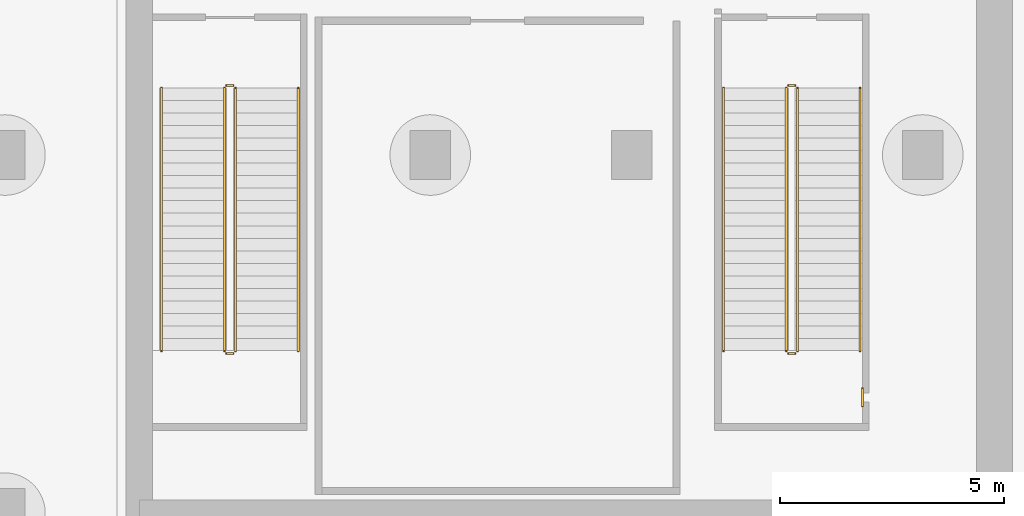
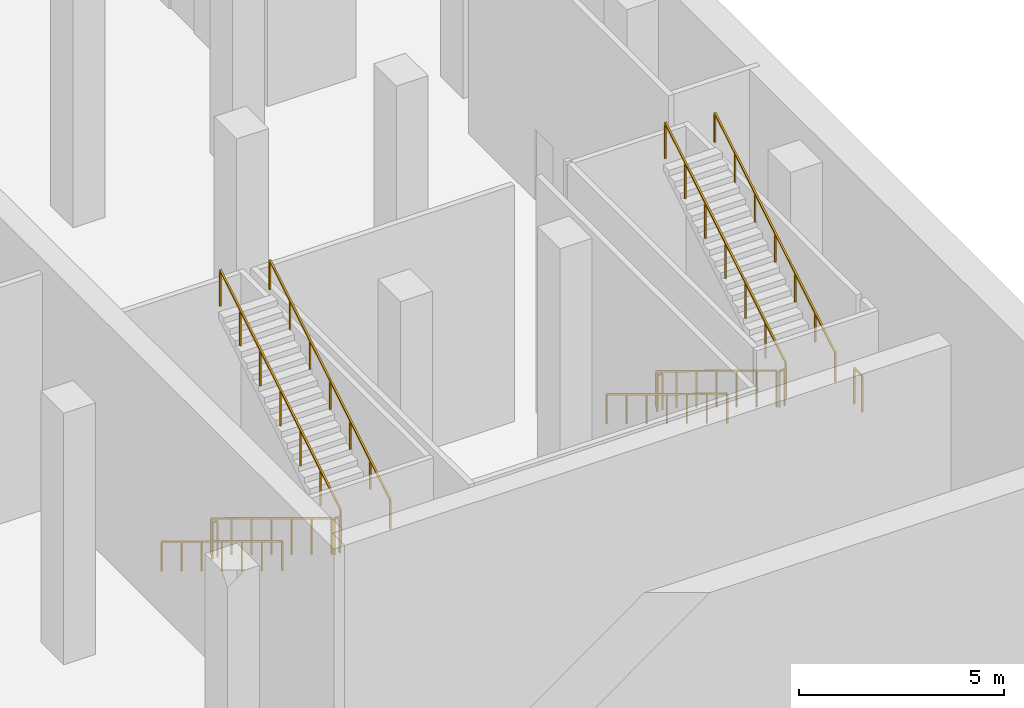
# One storey, part 16 of 19: 13 railings.
"""IFC4 building model written with IfcOpenShell, lengths in metres."""

import ifcopenshell
import ifcopenshell.guid

model = None  # the IFC model being written
_history = None  # IfcOwnerHistory: only IFC2X3 demands one
_inside = {}  # id of a spatial element -> (the spatial element, [elements in it])
_under = {}  # id of a project, library or spatial element -> (it, [spatial elements below it])
_declared = {}  # id of a project -> (the project, [libraries it declares])
_typed = {}  # id of a type object -> (the type object, [elements of that type])
_made_of = {}  # id of a material, layer set ... -> (it, [elements and type objects made of it])


def new_model(schema):
    """Start an empty IFC model of exactly this schema.

    Asked for "IFC4X3", IfcOpenShell would pick the latest addendum, in which some entities
    have other attributes; the version numbers below select the first issue.
    IFC2X3 requires an IfcOwnerHistory on every rooted entity: one is made here for all.
    """
    global model, _history
    if schema == "IFC4X3":
        model = ifcopenshell.file(schema_version=(4, 3, 0, 0))
    else:
        model = ifcopenshell.file(schema=schema)
    _inside.clear()
    _under.clear()
    _declared.clear()
    _typed.clear()
    _made_of.clear()
    _history = None
    if model.schema == "IFC2X3":
        org = make("IfcOrganization", Name="unknown")
        user = make(
            "IfcPersonAndOrganization",
            ThePerson=make("IfcPerson", FamilyName="unknown"),
            TheOrganization=org,
        )
        app = make(
            "IfcApplication",
            ApplicationDeveloper=org,
            Version="unknown",
            ApplicationFullName="unknown",
            ApplicationIdentifier="unknown",
        )
        _history = make(
            "IfcOwnerHistory",
            OwningUser=user,
            OwningApplication=app,
            ChangeAction="ADDED",
            CreationDate=0,
        )
    return model


def make(cls, **values):
    """One entity of the class cls with the attributes given. An attribute that is None is left unset."""
    return model.create_entity(
        cls, **{name: value for name, value in values.items() if value is not None}
    )


def rooted(cls, **values):
    """An entity with a GlobalId (a new one), such as an element, a storey or a relation."""
    return make(cls, GlobalId=ifcopenshell.guid.new(), OwnerHistory=_history, **values)


def si_unit(unit_type, name, prefix=None):
    """IfcSIUnit, for example si_unit("LENGTHUNIT", "METRE", prefix="MILLI")."""
    return make("IfcSIUnit", UnitType=unit_type, Prefix=prefix, Name=name)


def assignment(units):
    """IfcUnitAssignment: the units of a project."""
    return None if units is None else make("IfcUnitAssignment", Units=units)


def point(xyz):
    """IfcCartesianPoint."""
    return None if xyz is None else make("IfcCartesianPoint", Coordinates=xyz)


def direction(xyz):
    """IfcDirection."""
    return None if xyz is None else make("IfcDirection", DirectionRatios=xyz)


def frame(location, z_axis=None, x_axis=None):
    """IfcAxis2Placement3D, a coordinate frame: its origin and axes. An axis left out is left unset."""
    return make(
        "IfcAxis2Placement3D",
        Location=point(location),
        Axis=direction(z_axis),
        RefDirection=direction(x_axis),
    )


def frame_2d(location, x_axis=None):
    """IfcAxis2Placement2D, a coordinate frame in the plane: its origin and x axis."""
    return make(
        "IfcAxis2Placement2D", Location=point(location), RefDirection=direction(x_axis)
    )


def origin():
    """The frame at (0, 0, 0) with its axes left unset."""
    return frame((0.0, 0.0, 0.0))


def origin_with_axes():
    """The frame at (0, 0, 0) with the z axis (0, 0, 1) and the x axis (1, 0, 0) written out."""
    return frame((0.0, 0.0, 0.0), z_axis=(0.0, 0.0, 1.0), x_axis=(1.0, 0.0, 0.0))


def origin_2d():
    """The frame at (0, 0) in the plane with its x axis left unset."""
    return frame_2d((0.0, 0.0))


def place(relative_to, where):
    """IfcLocalPlacement: puts the frame where relative to a parent placement (None: the world)."""
    return make(
        "IfcLocalPlacement", PlacementRelTo=relative_to, RelativePlacement=where
    )


def context(
    kind, dimensions, precision=None, world=None, true_north=None, identifier=None
):
    """IfcGeometricRepresentationContext, for example the 3D "Model" context."""
    return make(
        "IfcGeometricRepresentationContext",
        ContextIdentifier=identifier,
        ContextType=kind,
        CoordinateSpaceDimension=dimensions,
        Precision=precision,
        WorldCoordinateSystem=world,
        TrueNorth=true_north,
    )


def subcontext(parent, identifier, kind, view, scale=None):
    """IfcGeometricRepresentationSubContext, for example "Body" below "Model"."""
    return make(
        "IfcGeometricRepresentationSubContext",
        ContextIdentifier=identifier,
        ContextType=kind,
        ParentContext=parent,
        TargetScale=scale,
        TargetView=view,
    )


def project(units=None, contexts=None):
    """IfcProject with its units and contexts."""
    return rooted(
        "IfcProject",
        Name="project",
        RepresentationContexts=contexts,
        UnitsInContext=assignment(units),
    )


def spatial(cls, under=None, at=None, **own):
    """A site, building, storey or space (cls), placed at a placement, below another one or the project."""
    s = rooted(cls, ObjectPlacement=at, **own)
    if under is not None:
        _under.setdefault(under.id(), (under, []))[1].append(s)
    return s


def profile(cls, at=None, kind="AREA", **sizes):
    """A parametric profile (cls). Its sizes go by their IFC names, for example OverallWidth=200.0."""
    return make(cls, ProfileType=kind, Position=at, **sizes)


def rectangle(**sizes):
    """IfcRectangleProfileDef."""
    return profile("IfcRectangleProfileDef", **sizes)


def extrude(swept, where, along, depth):
    """IfcExtrudedAreaSolid: the profile swept, set in the frame where, extruded along a direction by depth."""
    return make(
        "IfcExtrudedAreaSolid",
        SweptArea=swept,
        Position=where,
        ExtrudedDirection=direction(along),
        Depth=depth,
    )


def shape(context_of_items, identifier, shape_type, items):
    """IfcShapeRepresentation: the items that make up one representation, for example the "Body"."""
    return make(
        "IfcShapeRepresentation",
        ContextOfItems=context_of_items,
        RepresentationIdentifier=identifier,
        RepresentationType=shape_type,
        Items=items,
    )


def material(Name=None, Category=None):
    """IfcMaterial."""
    return make("IfcMaterial", Name=Name, Category=Category)


def made_of(thing, what):
    """Note that an element or type object is made of a material, layer set ...; save() writes the relation."""
    if what is not None:
        _made_of.setdefault(what.id(), (what, []))[1].append(thing)
    return thing


def type_object(cls, material=None, **own):
    """A type object (cls), such as IfcWallType, which elements share."""
    return made_of(rooted(cls, **own), material)


def element(
    cls,
    number,
    at=None,
    inside=None,
    cuts=None,
    type_object=None,
    material=None,
    context=None,
    identifier="Body",
    shape_type=None,
    held_by="IfcProductDefinitionShape",
    body=None,
    shapes=None,
    **own,
):
    """One element of the class cls, such as IfcWall. Its Tag is "e" and its number.

    at: its placement. inside: the storey or other place that contains it. cuts: it is an
    opening in that element (IfcRelVoidsElement). A single representation is given by context,
    identifier, shape_type and body (its items); several are given by shapes. held_by: the class
    of the entity that holds the representations. save() writes the other relations.
    """
    e = rooted(cls, Tag="e%d" % number, ObjectPlacement=at, **own)
    if body is not None:
        shapes = [shape(context, identifier, shape_type, body)]
    if shapes is not None:
        e.Representation = make(held_by, Representations=shapes)
    if inside is not None:
        _inside.setdefault(inside.id(), (inside, []))[1].append(e)
    if cuts is not None:
        rooted(
            "IfcRelVoidsElement", RelatingBuildingElement=cuts, RelatedOpeningElement=e
        )
    if type_object is not None:
        _typed.setdefault(type_object.id(), (type_object, []))[1].append(e)
    return made_of(e, material)


def aggregate(whole, parts):
    """IfcRelAggregates: a whole, such as a stair, and the parts it consists of."""
    return rooted("IfcRelAggregates", RelatingObject=whole, RelatedObjects=parts)


def save(model, path):
    """Write the relations noted so far, then the file.

    IfcRelAggregates (storeys below a building ...), IfcRelContainedInSpatialStructure (elements
    in a storey), IfcRelDefinesByType, IfcRelAssociatesMaterial and IfcRelDeclares: one each for
    every whole, place, type object, material and project.
    """
    for whole, parts in _under.values():
        aggregate(whole, parts)
    for where, things in _inside.values():
        rooted(
            "IfcRelContainedInSpatialStructure",
            RelatedElements=things,
            RelatingStructure=where,
        )
    for kind, things in _typed.values():
        rooted("IfcRelDefinesByType", RelatedObjects=things, RelatingType=kind)
    for what, things in _made_of.values():
        rooted("IfcRelAssociatesMaterial", RelatedObjects=things, RelatingMaterial=what)
    for by, libraries in _declared.values():
        rooted("IfcRelDeclares", RelatingContext=by, RelatedDefinitions=libraries)
    model.write(path)


model = new_model("IFC4")

# Units and contexts
model_context = context("Model", 3, precision=1e-05, world=origin(), true_north=direction((0.0, 1.0)))
body_context = subcontext(model_context, "Body", "Model", "MODEL_VIEW")
ifc_project = project(units=[si_unit("LENGTHUNIT", "METRE"), si_unit("AREAUNIT", "SQUARE_METRE"), si_unit("VOLUMEUNIT", "CUBIC_METRE"), si_unit("PLANEANGLEUNIT", "RADIAN"), si_unit("MASSUNIT", "GRAM", prefix="KILO")], contexts=[model_context])

# Site, building, storey
site_placement = place(None, origin())
site = spatial("IfcSite", under=ifc_project, at=site_placement, CompositionType="ELEMENT")
building_placement = place(site_placement, origin())
building = spatial("IfcBuilding", under=site, at=building_placement, Name="Alderwake Tower", CompositionType="ELEMENT")
storey_placement = place(building_placement, frame((0.0, 0.0, -14.0)))
storey = spatial("IfcBuildingStorey", under=building, at=storey_placement, Name="B2", CompositionType="ELEMENT", Elevation=-14.0)

# Railings
ifc_material_1 = material(Name="Stainless steel guard", Category="steel")
railing_type_1 = type_object("IfcRailingType", Name="Stair guard 1100", PredefinedType="GUARDRAIL", material=ifc_material_1)
railing_1_placement = place(storey_placement, frame((68.89990234375, 17.5, 0.17041015625)))
element("IfcRailing", 1, at=railing_1_placement, inside=storey, type_object=railing_type_1, Name="B2 ST-S1 stair guard 1", PredefinedType="GUARDRAIL", context=body_context, shape_type="SweptSolid", body=[
    extrude(rectangle(XDim=0.048095703125, YDim=0.048095703125, at=origin_2d()), frame((0.0, 0.0, 1.076171875), z_axis=(0.0, -0.854164310681, 0.520003202259), x_axis=(1.0, 0.0, 0.0)), (0.0, 0.0, 1.0), 6.8837890625),
    extrude(rectangle(XDim=0.0419921875, YDim=0.0419921875, at=origin_2d()), frame((0.0, 0.0, 0.0), z_axis=(0.0, 0.0, 1.0), x_axis=(0.0, -1.0, 0.0)), (0.0, 0.0, 1.0), 1.052001953125),
    extrude(rectangle(XDim=0.0419921875, YDim=0.0419921875, at=origin_2d()), frame((0.0, -0.97998046875, 0.5966796875), z_axis=(0.0, 0.0, 1.0), x_axis=(0.0, -1.0, 0.0)), (0.0, 0.0, 1.0), 1.052001953125),
    extrude(rectangle(XDim=0.0419921875, YDim=0.0419921875, at=origin_2d()), frame((0.0, -1.9599609375, 1.193115234375), z_axis=(0.0, 0.0, 1.0), x_axis=(0.0, -1.0, 0.0)), (0.0, 0.0, 1.0), 1.052001953125),
    extrude(rectangle(XDim=0.0419921875, YDim=0.0419921875, at=origin_2d()), frame((0.0, -2.93994140625, 1.789794921875), z_axis=(0.0, 0.0, 1.0), x_axis=(0.0, -1.0, 0.0)), (0.0, 0.0, 1.0), 1.052001953125),
    extrude(rectangle(XDim=0.0419921875, YDim=0.0419921875, at=origin_2d()), frame((0.0, -3.919921875, 2.386474609375), z_axis=(0.0, 0.0, 1.0), x_axis=(0.0, -1.0, 0.0)), (0.0, 0.0, 1.0), 1.052001953125),
    extrude(rectangle(XDim=0.0419921875, YDim=0.0419921875, at=origin_2d()), frame((0.0, -4.89990234375, 2.98291015625), z_axis=(0.0, 0.0, 1.0), x_axis=(0.0, -1.0, 0.0)), (0.0, 0.0, 1.0), 1.052001953125),
    extrude(rectangle(XDim=0.0419921875, YDim=0.0419921875, at=origin_2d()), frame((0.0, -5.8798828125, 3.57958984375), z_axis=(0.0, 0.0, 1.0), x_axis=(0.0, -1.0, 0.0)), (0.0, 0.0, 1.0), 1.052001953125),
])
railing_2_placement = place(storey_placement, frame((68.949951171875, 11.570068359375, 3.75)))
element("IfcRailing", 2, at=railing_2_placement, inside=storey, type_object=railing_type_1, Name="B2 ST-S1 stair guard 2", PredefinedType="GUARDRAIL", context=body_context, shape_type="SweptSolid", body=[
    extrude(rectangle(XDim=0.048095703125, YDim=0.048095703125, at=origin_2d()), frame((0.0, 0.0, 1.076171875), z_axis=(1.0, 0.0, 0.0), x_axis=(0.0, 1.0, 0.0)), (0.0, 0.0, 1.0), 0.150146484375),
    extrude(rectangle(XDim=0.0419921875, YDim=0.0419921875, at=origin_2d()), origin_with_axes(), (0.0, 0.0, 1.0), 1.052001953125),
    extrude(rectangle(XDim=0.0419921875, YDim=0.0419921875, at=origin_2d()), frame((0.150146484375, 0.0, 0.0), z_axis=(0.0, 0.0, 1.0), x_axis=(1.0, 0.0, 0.0)), (0.0, 0.0, 1.0), 1.052001953125),
])
railing_3_placement = place(storey_placement, frame((69.14990234375, 11.6201171875, 3.92041015625)))
element("IfcRailing", 3, at=railing_3_placement, inside=storey, type_object=railing_type_1, Name="B2 ST-S1 stair guard 3", PredefinedType="GUARDRAIL", context=body_context, shape_type="SweptSolid", body=[
    extrude(rectangle(XDim=0.048095703125, YDim=0.048095703125, at=origin_2d()), frame((0.0, 0.0, 1.076171875), z_axis=(0.0, 0.854164310681, 0.520003202259), x_axis=(-1.0, 0.0, 0.0)), (0.0, 0.0, 1.0), 6.8837890625),
    extrude(rectangle(XDim=0.0419921875, YDim=0.0419921875, at=origin_2d()), frame((0.0, 0.0, 0.0), z_axis=(0.0, 0.0, 1.0), x_axis=(0.0, 1.0, 0.0)), (0.0, 0.0, 1.0), 1.052001953125),
    extrude(rectangle(XDim=0.0419921875, YDim=0.0419921875, at=origin_2d()), frame((0.0, 0.97998046875, 0.5966796875), z_axis=(0.0, 0.0, 1.0), x_axis=(0.0, 1.0, 0.0)), (0.0, 0.0, 1.0), 1.052001953125),
    extrude(rectangle(XDim=0.0419921875, YDim=0.0419921875, at=origin_2d()), frame((0.0, 1.9599609375, 1.193115234375), z_axis=(0.0, 0.0, 1.0), x_axis=(0.0, 1.0, 0.0)), (0.0, 0.0, 1.0), 1.052001953125),
    extrude(rectangle(XDim=0.0419921875, YDim=0.0419921875, at=origin_2d()), frame((0.0, 2.93994140625, 1.789794921875), z_axis=(0.0, 0.0, 1.0), x_axis=(0.0, 1.0, 0.0)), (0.0, 0.0, 1.0), 1.052001953125),
    extrude(rectangle(XDim=0.0419921875, YDim=0.0419921875, at=origin_2d()), frame((0.0, 3.919921875, 2.386474609375), z_axis=(0.0, 0.0, 1.0), x_axis=(0.0, 1.0, 0.0)), (0.0, 0.0, 1.0), 1.052001953125),
    extrude(rectangle(XDim=0.0419921875, YDim=0.0419921875, at=origin_2d()), frame((0.0, 4.89990234375, 2.98291015625), z_axis=(0.0, 0.0, 1.0), x_axis=(0.0, 1.0, 0.0)), (0.0, 0.0, 1.0), 1.052001953125),
    extrude(rectangle(XDim=0.0419921875, YDim=0.0419921875, at=origin_2d()), frame((0.0, 5.8798828125, 3.57958984375), z_axis=(0.0, 0.0, 1.0), x_axis=(0.0, 1.0, 0.0)), (0.0, 0.0, 1.0), 1.052001953125),
])
railing_4_placement = place(storey_placement, frame((68.949951171875, 17.550048828125, 0.0)))
element("IfcRailing", 4, at=railing_4_placement, inside=storey, type_object=railing_type_1, Name="B2 ST-S1 stair guard 4", PredefinedType="GUARDRAIL", context=body_context, shape_type="SweptSolid", body=[
    extrude(rectangle(XDim=0.048095703125, YDim=0.048095703125, at=origin_2d()), frame((0.0, 0.0, 1.076171875), z_axis=(1.0, 0.0, 0.0), x_axis=(0.0, 1.0, 0.0)), (0.0, 0.0, 1.0), 0.150146484375),
    extrude(rectangle(XDim=0.0419921875, YDim=0.0419921875, at=origin_2d()), origin_with_axes(), (0.0, 0.0, 1.0), 1.052001953125),
    extrude(rectangle(XDim=0.0419921875, YDim=0.0419921875, at=origin_2d()), frame((0.150146484375, 0.0, 0.0), z_axis=(0.0, 0.0, 1.0), x_axis=(1.0, 0.0, 0.0)), (0.0, 0.0, 1.0), 1.052001953125),
])
railing_5_placement = place(storey_placement, frame((81.449951171875, 17.5, 0.17041015625)))
element("IfcRailing", 5, at=railing_5_placement, inside=storey, type_object=railing_type_1, Name="B2 ST-S2 stair guard 1", PredefinedType="GUARDRAIL", context=body_context, shape_type="SweptSolid", body=[
    extrude(rectangle(XDim=0.048095703125, YDim=0.048095703125, at=origin_2d()), frame((0.0, 0.0, 1.076171875), z_axis=(0.0, -0.854164310681, 0.520003202259), x_axis=(1.0, 0.0, 0.0)), (0.0, 0.0, 1.0), 6.8837890625),
    extrude(rectangle(XDim=0.0419921875, YDim=0.0419921875, at=origin_2d()), frame((0.0, 0.0, 0.0), z_axis=(0.0, 0.0, 1.0), x_axis=(0.0, -1.0, 0.0)), (0.0, 0.0, 1.0), 1.052001953125),
    extrude(rectangle(XDim=0.0419921875, YDim=0.0419921875, at=origin_2d()), frame((0.0, -0.97998046875, 0.5966796875), z_axis=(0.0, 0.0, 1.0), x_axis=(0.0, -1.0, 0.0)), (0.0, 0.0, 1.0), 1.052001953125),
    extrude(rectangle(XDim=0.0419921875, YDim=0.0419921875, at=origin_2d()), frame((0.0, -1.9599609375, 1.193115234375), z_axis=(0.0, 0.0, 1.0), x_axis=(0.0, -1.0, 0.0)), (0.0, 0.0, 1.0), 1.052001953125),
    extrude(rectangle(XDim=0.0419921875, YDim=0.0419921875, at=origin_2d()), frame((0.0, -2.93994140625, 1.789794921875), z_axis=(0.0, 0.0, 1.0), x_axis=(0.0, -1.0, 0.0)), (0.0, 0.0, 1.0), 1.052001953125),
    extrude(rectangle(XDim=0.0419921875, YDim=0.0419921875, at=origin_2d()), frame((0.0, -3.919921875, 2.386474609375), z_axis=(0.0, 0.0, 1.0), x_axis=(0.0, -1.0, 0.0)), (0.0, 0.0, 1.0), 1.052001953125),
    extrude(rectangle(XDim=0.0419921875, YDim=0.0419921875, at=origin_2d()), frame((0.0, -4.89990234375, 2.98291015625), z_axis=(0.0, 0.0, 1.0), x_axis=(0.0, -1.0, 0.0)), (0.0, 0.0, 1.0), 1.052001953125),
    extrude(rectangle(XDim=0.0419921875, YDim=0.0419921875, at=origin_2d()), frame((0.0, -5.8798828125, 3.57958984375), z_axis=(0.0, 0.0, 1.0), x_axis=(0.0, -1.0, 0.0)), (0.0, 0.0, 1.0), 1.052001953125),
])
railing_6_placement = place(storey_placement, frame((81.5, 11.570068359375, 3.75)))
element("IfcRailing", 6, at=railing_6_placement, inside=storey, type_object=railing_type_1, Name="B2 ST-S2 stair guard 2", PredefinedType="GUARDRAIL", context=body_context, shape_type="SweptSolid", body=[
    extrude(rectangle(XDim=0.048095703125, YDim=0.048095703125, at=origin_2d()), frame((0.0, 0.0, 1.076171875), z_axis=(1.0, 0.0, 0.0), x_axis=(0.0, 1.0, 0.0)), (0.0, 0.0, 1.0), 0.14990234375),
    extrude(rectangle(XDim=0.0419921875, YDim=0.0419921875, at=origin_2d()), origin_with_axes(), (0.0, 0.0, 1.0), 1.052001953125),
    extrude(rectangle(XDim=0.0419921875, YDim=0.0419921875, at=origin_2d()), frame((0.14990234375, 0.0, 0.0), z_axis=(0.0, 0.0, 1.0), x_axis=(1.0, 0.0, 0.0)), (0.0, 0.0, 1.0), 1.052001953125),
])
railing_7_placement = place(storey_placement, frame((81.699951171875, 11.6201171875, 3.92041015625)))
element("IfcRailing", 7, at=railing_7_placement, inside=storey, type_object=railing_type_1, Name="B2 ST-S2 stair guard 3", PredefinedType="GUARDRAIL", context=body_context, shape_type="SweptSolid", body=[
    extrude(rectangle(XDim=0.048095703125, YDim=0.048095703125, at=origin_2d()), frame((0.0, 0.0, 1.076171875), z_axis=(0.0, 0.854164310681, 0.520003202259), x_axis=(-1.0, 0.0, 0.0)), (0.0, 0.0, 1.0), 6.8837890625),
    extrude(rectangle(XDim=0.0419921875, YDim=0.0419921875, at=origin_2d()), frame((0.0, 0.0, 0.0), z_axis=(0.0, 0.0, 1.0), x_axis=(0.0, 1.0, 0.0)), (0.0, 0.0, 1.0), 1.052001953125),
    extrude(rectangle(XDim=0.0419921875, YDim=0.0419921875, at=origin_2d()), frame((0.0, 0.97998046875, 0.5966796875), z_axis=(0.0, 0.0, 1.0), x_axis=(0.0, 1.0, 0.0)), (0.0, 0.0, 1.0), 1.052001953125),
    extrude(rectangle(XDim=0.0419921875, YDim=0.0419921875, at=origin_2d()), frame((0.0, 1.9599609375, 1.193115234375), z_axis=(0.0, 0.0, 1.0), x_axis=(0.0, 1.0, 0.0)), (0.0, 0.0, 1.0), 1.052001953125),
    extrude(rectangle(XDim=0.0419921875, YDim=0.0419921875, at=origin_2d()), frame((0.0, 2.93994140625, 1.789794921875), z_axis=(0.0, 0.0, 1.0), x_axis=(0.0, 1.0, 0.0)), (0.0, 0.0, 1.0), 1.052001953125),
    extrude(rectangle(XDim=0.0419921875, YDim=0.0419921875, at=origin_2d()), frame((0.0, 3.919921875, 2.386474609375), z_axis=(0.0, 0.0, 1.0), x_axis=(0.0, 1.0, 0.0)), (0.0, 0.0, 1.0), 1.052001953125),
    extrude(rectangle(XDim=0.0419921875, YDim=0.0419921875, at=origin_2d()), frame((0.0, 4.89990234375, 2.98291015625), z_axis=(0.0, 0.0, 1.0), x_axis=(0.0, 1.0, 0.0)), (0.0, 0.0, 1.0), 1.052001953125),
    extrude(rectangle(XDim=0.0419921875, YDim=0.0419921875, at=origin_2d()), frame((0.0, 5.8798828125, 3.57958984375), z_axis=(0.0, 0.0, 1.0), x_axis=(0.0, 1.0, 0.0)), (0.0, 0.0, 1.0), 1.052001953125),
])
railing_8_placement = place(storey_placement, frame((81.5, 17.550048828125, 0.0)))
element("IfcRailing", 8, at=railing_8_placement, inside=storey, type_object=railing_type_1, Name="B2 ST-S2 stair guard 4", PredefinedType="GUARDRAIL", context=body_context, shape_type="SweptSolid", body=[
    extrude(rectangle(XDim=0.048095703125, YDim=0.048095703125, at=origin_2d()), frame((0.0, 0.0, 1.076171875), z_axis=(1.0, 0.0, 0.0), x_axis=(0.0, 1.0, 0.0)), (0.0, 0.0, 1.0), 0.14990234375),
    extrude(rectangle(XDim=0.0419921875, YDim=0.0419921875, at=origin_2d()), origin_with_axes(), (0.0, 0.0, 1.0), 1.052001953125),
    extrude(rectangle(XDim=0.0419921875, YDim=0.0419921875, at=origin_2d()), frame((0.14990234375, 0.0, 0.0), z_axis=(0.0, 0.0, 1.0), x_axis=(1.0, 0.0, 0.0)), (0.0, 0.0, 1.0), 1.052001953125),
])
railing_9_placement = place(storey_placement, frame((83.14990234375, 10.387939453125, 3.75)))
element("IfcRailing", 9, at=railing_9_placement, inside=storey, type_object=railing_type_1, Name="B2 landing guard ST-S2.L1", PredefinedType="GUARDRAIL", context=body_context, shape_type="SweptSolid", body=[
    extrude(rectangle(XDim=0.048095703125, YDim=0.048095703125, at=origin_2d()), frame((0.0, 0.0, 1.076171875), z_axis=(0.0, 1.0, 0.0), x_axis=(-1.0, 0.0, 0.0)), (0.0, 0.0, 1.0), 0.39599609375),
    extrude(rectangle(XDim=0.0419921875, YDim=0.0419921875, at=origin_2d()), frame((0.0, 0.0, 0.0), z_axis=(0.0, 0.0, 1.0), x_axis=(0.0, 1.0, 0.0)), (0.0, 0.0, 1.0), 1.052001953125),
    extrude(rectangle(XDim=0.0419921875, YDim=0.0419921875, at=origin_2d()), frame((0.0, 0.39599609375, 0.0), z_axis=(0.0, 0.0, 1.0), x_axis=(0.0, 1.0, 0.0)), (0.0, 0.0, 1.0), 1.052001953125),
])
ifc_material_2 = material(Name="Stainless steel handrail", Category="steel")
railing_type_2 = type_object("IfcRailingType", Name="Stair handrail 900", PredefinedType="HANDRAIL", material=ifc_material_2)
railing_10_placement = place(storey_placement, frame((67.5, 17.5, 0.17041015625)))
element("IfcRailing", 10, at=railing_10_placement, inside=storey, type_object=railing_type_2, Name="B2 ST-S1 stair handrail 1", PredefinedType="HANDRAIL", context=body_context, shape_type="SweptSolid", body=[
    extrude(rectangle(XDim=0.048095703125, YDim=0.048095703125, at=origin_2d()), frame((0.0, 0.0, 0.8759765625), z_axis=(0.0, -0.854164310681, 0.520003202259), x_axis=(1.0, 0.0, 0.0)), (0.0, 0.0, 1.0), 6.8837890625),
    extrude(rectangle(XDim=0.0419921875, YDim=0.0419921875, at=origin_2d()), frame((0.0, 0.0, 0.0), z_axis=(0.0, 0.0, 1.0), x_axis=(0.0, -1.0, 0.0)), (0.0, 0.0, 1.0), 0.851806640625),
    extrude(rectangle(XDim=0.0419921875, YDim=0.0419921875, at=origin_2d()), frame((0.0, -0.97998046875, 0.5966796875), z_axis=(0.0, 0.0, 1.0), x_axis=(0.0, -1.0, 0.0)), (0.0, 0.0, 1.0), 0.851806640625),
    extrude(rectangle(XDim=0.0419921875, YDim=0.0419921875, at=origin_2d()), frame((0.0, -1.9599609375, 1.193115234375), z_axis=(0.0, 0.0, 1.0), x_axis=(0.0, -1.0, 0.0)), (0.0, 0.0, 1.0), 0.851806640625),
    extrude(rectangle(XDim=0.0419921875, YDim=0.0419921875, at=origin_2d()), frame((0.0, -2.93994140625, 1.789794921875), z_axis=(0.0, 0.0, 1.0), x_axis=(0.0, -1.0, 0.0)), (0.0, 0.0, 1.0), 0.851806640625),
    extrude(rectangle(XDim=0.0419921875, YDim=0.0419921875, at=origin_2d()), frame((0.0, -3.919921875, 2.386474609375), z_axis=(0.0, 0.0, 1.0), x_axis=(0.0, -1.0, 0.0)), (0.0, 0.0, 1.0), 0.851806640625),
    extrude(rectangle(XDim=0.0419921875, YDim=0.0419921875, at=origin_2d()), frame((0.0, -4.89990234375, 2.98291015625), z_axis=(0.0, 0.0, 1.0), x_axis=(0.0, -1.0, 0.0)), (0.0, 0.0, 1.0), 0.851806640625),
    extrude(rectangle(XDim=0.0419921875, YDim=0.0419921875, at=origin_2d()), frame((0.0, -5.8798828125, 3.57958984375), z_axis=(0.0, 0.0, 1.0), x_axis=(0.0, -1.0, 0.0)), (0.0, 0.0, 1.0), 0.851806640625),
])
railing_11_placement = place(storey_placement, frame((70.550048828125, 11.6201171875, 3.92041015625)))
element("IfcRailing", 11, at=railing_11_placement, inside=storey, type_object=railing_type_2, Name="B2 ST-S1 stair handrail 2", PredefinedType="HANDRAIL", context=body_context, shape_type="SweptSolid", body=[
    extrude(rectangle(XDim=0.048095703125, YDim=0.048095703125, at=origin_2d()), frame((0.0, 0.0, 0.8759765625), z_axis=(0.0, 0.854164310681, 0.520003202259), x_axis=(-1.0, 0.0, 0.0)), (0.0, 0.0, 1.0), 6.8837890625),
    extrude(rectangle(XDim=0.0419921875, YDim=0.0419921875, at=origin_2d()), frame((0.0, 0.0, 0.0), z_axis=(0.0, 0.0, 1.0), x_axis=(0.0, 1.0, 0.0)), (0.0, 0.0, 1.0), 0.851806640625),
    extrude(rectangle(XDim=0.0419921875, YDim=0.0419921875, at=origin_2d()), frame((0.0, 0.97998046875, 0.5966796875), z_axis=(0.0, 0.0, 1.0), x_axis=(0.0, 1.0, 0.0)), (0.0, 0.0, 1.0), 0.851806640625),
    extrude(rectangle(XDim=0.0419921875, YDim=0.0419921875, at=origin_2d()), frame((0.0, 1.9599609375, 1.193115234375), z_axis=(0.0, 0.0, 1.0), x_axis=(0.0, 1.0, 0.0)), (0.0, 0.0, 1.0), 0.851806640625),
    extrude(rectangle(XDim=0.0419921875, YDim=0.0419921875, at=origin_2d()), frame((0.0, 2.93994140625, 1.789794921875), z_axis=(0.0, 0.0, 1.0), x_axis=(0.0, 1.0, 0.0)), (0.0, 0.0, 1.0), 0.851806640625),
    extrude(rectangle(XDim=0.0419921875, YDim=0.0419921875, at=origin_2d()), frame((0.0, 3.919921875, 2.386474609375), z_axis=(0.0, 0.0, 1.0), x_axis=(0.0, 1.0, 0.0)), (0.0, 0.0, 1.0), 0.851806640625),
    extrude(rectangle(XDim=0.0419921875, YDim=0.0419921875, at=origin_2d()), frame((0.0, 4.89990234375, 2.98291015625), z_axis=(0.0, 0.0, 1.0), x_axis=(0.0, 1.0, 0.0)), (0.0, 0.0, 1.0), 0.851806640625),
    extrude(rectangle(XDim=0.0419921875, YDim=0.0419921875, at=origin_2d()), frame((0.0, 5.8798828125, 3.57958984375), z_axis=(0.0, 0.0, 1.0), x_axis=(0.0, 1.0, 0.0)), (0.0, 0.0, 1.0), 0.851806640625),
])
railing_12_placement = place(storey_placement, frame((80.050048828125, 17.5, 0.17041015625)))
element("IfcRailing", 12, at=railing_12_placement, inside=storey, type_object=railing_type_2, Name="B2 ST-S2 stair handrail 1", PredefinedType="HANDRAIL", context=body_context, shape_type="SweptSolid", body=[
    extrude(rectangle(XDim=0.048095703125, YDim=0.048095703125, at=origin_2d()), frame((0.0, 0.0, 0.8759765625), z_axis=(0.0, -0.854164310681, 0.520003202259), x_axis=(1.0, 0.0, 0.0)), (0.0, 0.0, 1.0), 6.8837890625),
    extrude(rectangle(XDim=0.0419921875, YDim=0.0419921875, at=origin_2d()), frame((0.0, 0.0, 0.0), z_axis=(0.0, 0.0, 1.0), x_axis=(0.0, -1.0, 0.0)), (0.0, 0.0, 1.0), 0.851806640625),
    extrude(rectangle(XDim=0.0419921875, YDim=0.0419921875, at=origin_2d()), frame((0.0, -0.97998046875, 0.5966796875), z_axis=(0.0, 0.0, 1.0), x_axis=(0.0, -1.0, 0.0)), (0.0, 0.0, 1.0), 0.851806640625),
    extrude(rectangle(XDim=0.0419921875, YDim=0.0419921875, at=origin_2d()), frame((0.0, -1.9599609375, 1.193115234375), z_axis=(0.0, 0.0, 1.0), x_axis=(0.0, -1.0, 0.0)), (0.0, 0.0, 1.0), 0.851806640625),
    extrude(rectangle(XDim=0.0419921875, YDim=0.0419921875, at=origin_2d()), frame((0.0, -2.93994140625, 1.789794921875), z_axis=(0.0, 0.0, 1.0), x_axis=(0.0, -1.0, 0.0)), (0.0, 0.0, 1.0), 0.851806640625),
    extrude(rectangle(XDim=0.0419921875, YDim=0.0419921875, at=origin_2d()), frame((0.0, -3.919921875, 2.386474609375), z_axis=(0.0, 0.0, 1.0), x_axis=(0.0, -1.0, 0.0)), (0.0, 0.0, 1.0), 0.851806640625),
    extrude(rectangle(XDim=0.0419921875, YDim=0.0419921875, at=origin_2d()), frame((0.0, -4.89990234375, 2.98291015625), z_axis=(0.0, 0.0, 1.0), x_axis=(0.0, -1.0, 0.0)), (0.0, 0.0, 1.0), 0.851806640625),
    extrude(rectangle(XDim=0.0419921875, YDim=0.0419921875, at=origin_2d()), frame((0.0, -5.8798828125, 3.57958984375), z_axis=(0.0, 0.0, 1.0), x_axis=(0.0, -1.0, 0.0)), (0.0, 0.0, 1.0), 0.851806640625),
])
railing_13_placement = place(storey_placement, frame((83.10009765625, 11.6201171875, 3.92041015625)))
element("IfcRailing", 13, at=railing_13_placement, inside=storey, type_object=railing_type_2, Name="B2 ST-S2 stair handrail 2", PredefinedType="HANDRAIL", context=body_context, shape_type="SweptSolid", body=[
    extrude(rectangle(XDim=0.048095703125, YDim=0.048095703125, at=origin_2d()), frame((0.0, 0.0, 0.8759765625), z_axis=(0.0, 0.854164310681, 0.520003202259), x_axis=(-1.0, 0.0, 0.0)), (0.0, 0.0, 1.0), 6.8837890625),
    extrude(rectangle(XDim=0.0419921875, YDim=0.0419921875, at=origin_2d()), frame((0.0, 0.0, 0.0), z_axis=(0.0, 0.0, 1.0), x_axis=(0.0, 1.0, 0.0)), (0.0, 0.0, 1.0), 0.851806640625),
    extrude(rectangle(XDim=0.0419921875, YDim=0.0419921875, at=origin_2d()), frame((0.0, 0.97998046875, 0.5966796875), z_axis=(0.0, 0.0, 1.0), x_axis=(0.0, 1.0, 0.0)), (0.0, 0.0, 1.0), 0.851806640625),
    extrude(rectangle(XDim=0.0419921875, YDim=0.0419921875, at=origin_2d()), frame((0.0, 1.9599609375, 1.193115234375), z_axis=(0.0, 0.0, 1.0), x_axis=(0.0, 1.0, 0.0)), (0.0, 0.0, 1.0), 0.851806640625),
    extrude(rectangle(XDim=0.0419921875, YDim=0.0419921875, at=origin_2d()), frame((0.0, 2.93994140625, 1.789794921875), z_axis=(0.0, 0.0, 1.0), x_axis=(0.0, 1.0, 0.0)), (0.0, 0.0, 1.0), 0.851806640625),
    extrude(rectangle(XDim=0.0419921875, YDim=0.0419921875, at=origin_2d()), frame((0.0, 3.919921875, 2.386474609375), z_axis=(0.0, 0.0, 1.0), x_axis=(0.0, 1.0, 0.0)), (0.0, 0.0, 1.0), 0.851806640625),
    extrude(rectangle(XDim=0.0419921875, YDim=0.0419921875, at=origin_2d()), frame((0.0, 4.89990234375, 2.98291015625), z_axis=(0.0, 0.0, 1.0), x_axis=(0.0, 1.0, 0.0)), (0.0, 0.0, 1.0), 0.851806640625),
    extrude(rectangle(XDim=0.0419921875, YDim=0.0419921875, at=origin_2d()), frame((0.0, 5.8798828125, 3.57958984375), z_axis=(0.0, 0.0, 1.0), x_axis=(0.0, 1.0, 0.0)), (0.0, 0.0, 1.0), 0.851806640625),
])

save(model, "model.ifc")
